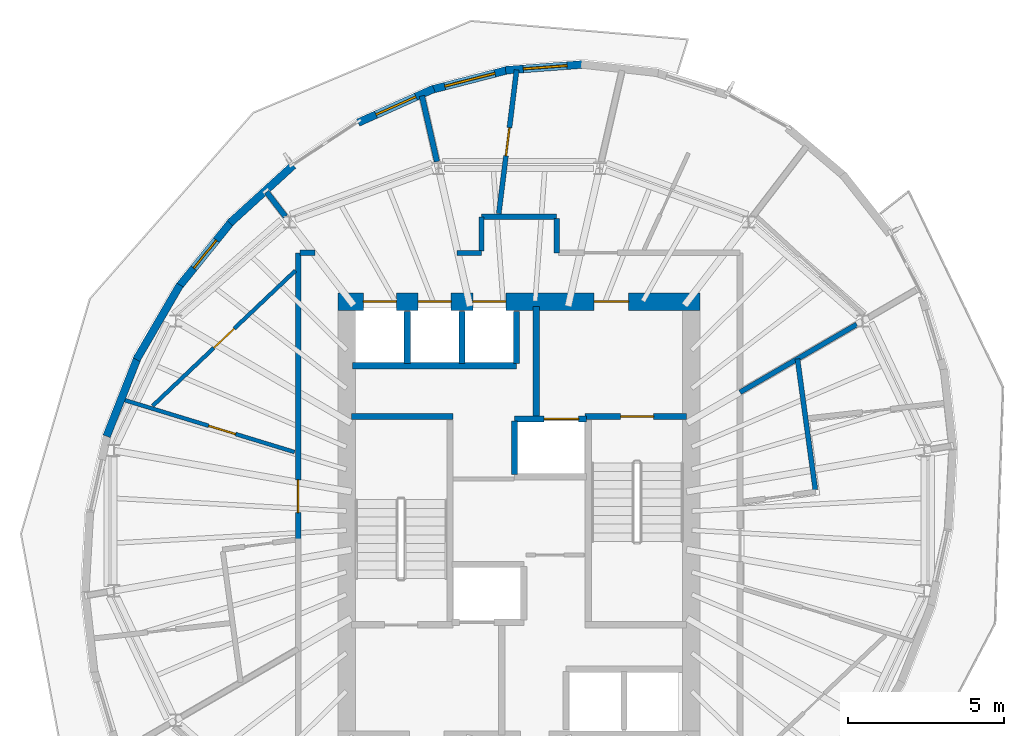
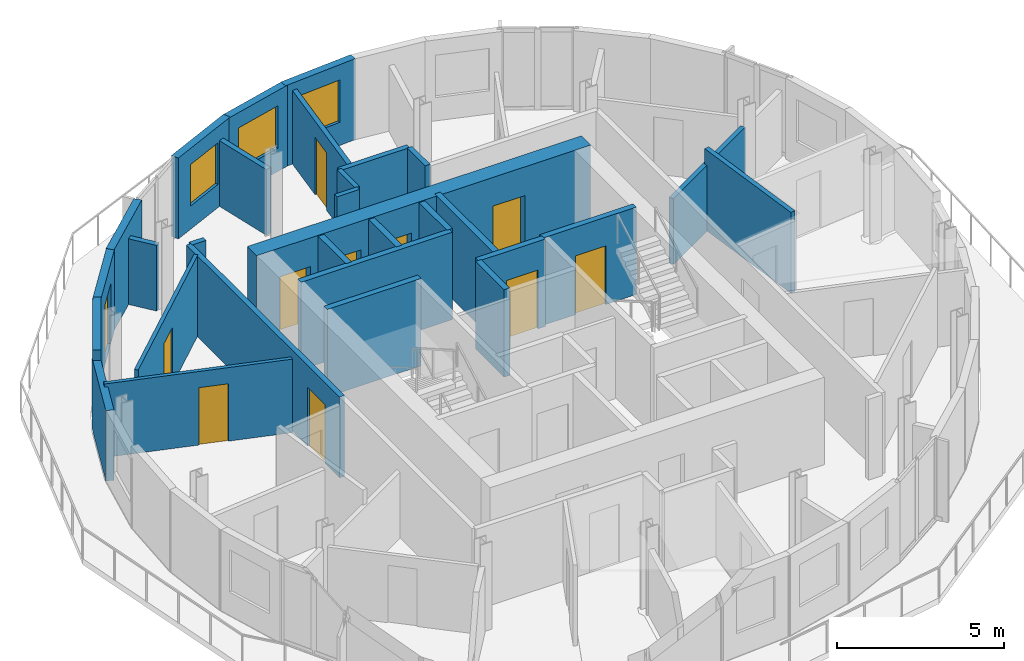
# One storey, part 6 of 11: 30 walls, 11 doors, 3 windows, 14 openings.
"""IFC4 building model written with IfcOpenShell, lengths in metres."""

from ifc_helpers import new_model, si_unit, direction, frame, frame_2d, origin, place, context, subcontext, project, spatial, rectangle, extrude, material, layer, layer_set, type_object, element, fill, save


model = new_model("IFC4")

# Units and contexts
model_context = context("Model", 3, precision=1e-05, world=origin(), true_north=direction((0.0, 1.0)))
body_context = subcontext(model_context, "Body", "Model", "MODEL_VIEW")
ifc_project = project(units=[si_unit("LENGTHUNIT", "METRE"), si_unit("AREAUNIT", "SQUARE_METRE"), si_unit("VOLUMEUNIT", "CUBIC_METRE"), si_unit("PLANEANGLEUNIT", "RADIAN"), si_unit("MASSUNIT", "GRAM", prefix="KILO")], contexts=[model_context])

# Site, building, storey
site_placement = place(None, origin())
site = spatial("IfcSite", under=ifc_project, at=site_placement, CompositionType="ELEMENT")
building_placement = place(site_placement, origin())
building = spatial("IfcBuilding", under=site, at=building_placement, Name="Veldorim Arch Residences", CompositionType="ELEMENT")
storey_placement = place(building_placement, frame((0.0, 0.0, 227.0400390625)))
storey = spatial("IfcBuildingStorey", under=building, at=storey_placement, Name="L68", CompositionType="ELEMENT", Elevation=227.0400390625)

# Wall, opening, door
ifc_material_1 = material(Name="Acoustic Gypsum Board", Category="gypsum")
ifc_layer_1 = layer(ifc_material_1, 0.125, Name="Acoustic Stud Room Partition Wall 125")
ifc_layer_set_1 = layer_set([ifc_layer_1], Name="Acoustic Gypsum Board")
wall_type_1 = type_object("IfcWallType", Name="Acoustic Stud Room Partition Wall 125", PredefinedType="PARTITIONING", material=ifc_layer_set_1)
wall_1_placement = place(storey_placement, frame((19.30029296875, 27.88037109375, 0.0), z_axis=(0.0, 0.0, 1.0), x_axis=(0.956360100331, -0.292190620136, 0.0)))
wall_1 = element("IfcWall", 1, at=wall_1_placement, inside=storey, type_object=wall_type_1, Name="L68 interior wall WL-RES-L68-030", PredefinedType="PARTITIONING", context=body_context, shape_type="SweptSolid", body=[
    extrude(rectangle(XDim=5.777099609375, YDim=0.125, at=frame_2d((2.888671875, 0.0))), origin(), (0.0, 0.0, 1.0), 2.69189453125),
])
opening_1_placement = place(wall_1_placement, frame((2.90869140625, 0.0, 0.0)))
opening_1 = element("IfcOpeningElement", 2, at=opening_1_placement, cuts=wall_1, Name="Opening DR-INT", PredefinedType="OPENING", context=body_context, shape_type="SweptSolid", body=[
    extrude(rectangle(XDim=0.89990234375, YDim=2.10009765625, at=frame_2d((0.449951171875, 1.050048828125))), frame((0.0, 0.072509765625, 0.0), z_axis=(0.0, -1.0, 0.0), x_axis=(1.0, 0.0, 0.0)), (0.0, 0.0, 1.0), 0.14501953125),
])
ifc_material_2 = material(Name="Engineered Timber", Category="wood")
door_type_1 = type_object("IfcDoorType", Name="Apartment Internal Room Timber Door 900x2100", OperationType="SINGLE_SWING_LEFT", PredefinedType="DOOR", material=ifc_material_2)
door_1_placement = place(opening_1_placement, origin())
door_1 = element("IfcDoor", 3, at=door_1_placement, inside=storey, type_object=door_type_1, Name="L68 interior door DR-RES-L68-016", OperationType="SINGLE_SWING_RIGHT", OverallHeight=2.10009765625, OverallWidth=0.89990234375, PredefinedType="DOOR", context=body_context, shape_type="SweptSolid", body=[
    extrude(rectangle(XDim=0.89990234375, YDim=2.10009765625, at=frame_2d((0.449951171875, 1.050048828125))), frame((0.0, 0.02490234375, 0.0), z_axis=(0.0, -1.0, 0.0), x_axis=(1.0, 0.0, 0.0)), (0.0, 0.0, 1.0), 0.050048828125),
])
fill(opening_1, door_1)

wall_2_placement = place(storey_placement, frame((20.29150390625, 27.66845703125, 0.0), z_axis=(0.0, 0.0, 1.0), x_axis=(0.72596595756, 0.68773063656, 0.0)))
wall_2 = element("IfcWall", 4, at=wall_2_placement, inside=storey, type_object=wall_type_1, Name="L68 interior wall WL-RES-L68-033", PredefinedType="PARTITIONING", context=body_context, shape_type="SweptSolid", body=[
    extrude(rectangle(XDim=6.282958984375, YDim=0.125, at=frame_2d((3.1416015625, 0.0))), origin(), (0.0, 0.0, 1.0), 2.955078125),
])
opening_2_placement = place(wall_2_placement, frame((2.691650390625, 0.0, 0.0)))
opening_2 = element("IfcOpeningElement", 5, at=opening_2_placement, cuts=wall_2, Name="Opening DR-INT", PredefinedType="OPENING", context=body_context, shape_type="SweptSolid", body=[
    extrude(rectangle(XDim=0.89990234375, YDim=2.10009765625, at=frame_2d((0.449951171875, 1.050048828125))), frame((0.0, 0.072509765625, 0.0), z_axis=(0.0, -1.0, 0.0), x_axis=(1.0, 0.0, 0.0)), (0.0, 0.0, 1.0), 0.14501953125),
])
door_2_placement = place(opening_2_placement, origin())
door_2 = element("IfcDoor", 6, at=door_2_placement, inside=storey, type_object=door_type_1, Name="L68 interior door DR-RES-L68-017", OperationType="SINGLE_SWING_LEFT", OverallHeight=2.10009765625, OverallWidth=0.89990234375, PredefinedType="DOOR", context=body_context, shape_type="SweptSolid", body=[
    extrude(rectangle(XDim=0.89990234375, YDim=2.10009765625, at=frame_2d((0.449951171875, 1.050048828125))), frame((0.0, 0.02490234375, 0.0), z_axis=(0.0, -1.0, 0.0), x_axis=(1.0, 0.0, 0.0)), (0.0, 0.0, 1.0), 0.050048828125),
])
fill(opening_2, door_2)

# Walls
ifc_material_3 = material(Name="Lightweight Masonry Block & Gypsum", Category="masonry")
ifc_layer_2 = layer(ifc_material_3, 0.179931640625, Name="Compartment & Corridor Fire-Rated Party Wall 180")
ifc_layer_set_2 = layer_set([ifc_layer_2], Name="Lightweight Masonry Block & Gypsum")
wall_type_2 = type_object("IfcWallType", Name="Compartment & Corridor Fire-Rated Party Wall 180", PredefinedType="PARTITIONING", material=ifc_layer_set_2)
wall_3_placement = place(storey_placement, frame((29.3759765625, 35.473388671875, 0.0), z_axis=(0.0, 0.0, 1.0), x_axis=(-0.223037236672, 0.974809925605, 0.0)))
element("IfcWall", 7, at=wall_3_placement, inside=storey, type_object=wall_type_2, Name="L68 interior wall WL-PIER-L68-05", PredefinedType="PARTITIONING", context=body_context, shape_type="SweptSolid", body=[
    extrude(rectangle(XDim=2.153076171875, YDim=0.179931640625, at=frame_2d((1.07666015625, 0.0))), origin(), (0.0, 0.0, 1.0), 2.4033203125),
])
wall_4_placement = place(storey_placement, frame((24.53271484375, 33.719482421875, 0.0), z_axis=(0.0, 0.0, 1.0), x_axis=(-0.609245199708, 0.792981895526, 0.0)))
element("IfcWall", 8, at=wall_4_placement, inside=storey, type_object=wall_type_2, Name="L68 interior wall WL-PIER-L68-06", PredefinedType="PARTITIONING", context=body_context, shape_type="SweptSolid", body=[
    extrude(rectangle(XDim=0.988525390625, YDim=0.179931640625, at=frame_2d((0.494140625, 0.0))), origin(), (0.0, 0.0, 1.0), 2.4033203125),
])
wall_5_placement = place(storey_placement, frame((30.800048828125, 33.7099609375, 0.0), z_axis=(0.0, 0.0, 1.0), x_axis=(1.0, 0.0, 0.0)))
element("IfcWall", 9, at=wall_5_placement, inside=storey, type_object=wall_type_2, Name="L68 interior wall WL-RES-L68-009", PredefinedType="PARTITIONING", context=body_context, shape_type="SweptSolid", body=[
    extrude(rectangle(XDim=2.39990234375, YDim=0.179931640625, at=frame_2d((1.199951171875, 0.0))), origin(), (0.0, 0.0, 1.0), 2.955078125),
])
wall_6_placement = place(storey_placement, frame((33.199951171875, 33.64990234375, 0.0), z_axis=(0.0, 0.0, 1.0), x_axis=(0.0, -1.0, 0.0)))
element("IfcWall", 10, at=wall_6_placement, inside=storey, type_object=wall_type_2, Name="L68 interior wall WL-RES-L68-010", PredefinedType="PARTITIONING", context=body_context, shape_type="SweptSolid", body=[
    extrude(rectangle(XDim=1.08984375, YDim=0.179931640625, at=frame_2d((0.544921875, 0.0))), origin(), (0.0, 0.0, 1.0), 2.955078125),
])

# Wall, opening, door
wall_7_placement = place(storey_placement, frame((24.93994140625, 23.38427734375, 0.0), z_axis=(0.0, 0.0, 1.0), x_axis=(0.0, 1.0, 0.0)))
wall_7 = element("IfcWall", 11, at=wall_7_placement, inside=storey, type_object=wall_type_2, Name="L68 interior wall WL-RES-L68-014", PredefinedType="PARTITIONING", context=body_context, shape_type="SweptSolid", body=[
    extrude(rectangle(XDim=9.17578125, YDim=0.179931640625, at=frame_2d((4.587890625, 0.0))), origin(), (0.0, 0.0, 1.0), 2.955078125),
])
opening_3_placement = place(wall_7_placement, frame((0.8720703125, 0.0, 0.0)))
opening_3 = element("IfcOpeningElement", 12, at=opening_3_placement, cuts=wall_7, Name="Opening DR-FLT", PredefinedType="OPENING", context=body_context, shape_type="SweptSolid", body=[
    extrude(rectangle(XDim=1.050048828125, YDim=2.14990234375, at=frame_2d((0.52490234375, 1.074951171875))), frame((0.0, 0.099853515625, 0.0), z_axis=(0.0, -1.0, 0.0), x_axis=(1.0, 0.0, 0.0)), (0.0, 0.0, 1.0), 0.199951171875),
])
ifc_material_4 = material(Name="Fire-Rated Timber", Category="wood")
door_type_2 = type_object("IfcDoorType", Name="Apartment Entrance Solid-Core Fire Door 1050x2150", OperationType="SINGLE_SWING_LEFT", PredefinedType="DOOR", material=ifc_material_4)
door_3_placement = place(opening_3_placement, origin())
door_3 = element("IfcDoor", 13, at=door_3_placement, inside=storey, type_object=door_type_2, Name="L68 interior door DR-RES-L68-014", OperationType="SINGLE_SWING_RIGHT", OverallHeight=2.14990234375, OverallWidth=1.050048828125, PredefinedType="DOOR", context=body_context, shape_type="SweptSolid", body=[
    extrude(rectangle(XDim=1.050048828125, YDim=2.14990234375, at=frame_2d((0.52490234375, 1.074951171875))), frame((0.0, 0.02490234375, 0.0), z_axis=(0.0, -1.0, 0.0), x_axis=(1.0, 0.0, 0.0)), (0.0, 0.0, 1.0), 0.050048828125),
])
fill(opening_3, door_3)

# Walls
wall_8_placement = place(storey_placement, frame((25.0, 32.56005859375, 0.0), z_axis=(0.0, 0.0, 1.0), x_axis=(1.0, 0.0, 0.0)))
element("IfcWall", 14, at=wall_8_placement, inside=storey, type_object=wall_type_2, Name="L68 interior wall WL-RES-L68-015", PredefinedType="PARTITIONING", context=body_context, shape_type="SweptSolid", body=[
    extrude(rectangle(XDim=0.484130859375, YDim=0.179931640625, at=frame_2d((0.2421875, 0.0))), origin(), (0.0, 0.0, 1.0), 2.955078125),
])
ifc_material_5 = material(Name="Concrete C50/60", Category="concrete")
ifc_layer_3 = layer(ifc_material_5, 0.199951171875, Name="Core Stair & Lift Shaft Enclosure Wall 200")
ifc_layer_set_3 = layer_set([ifc_layer_3], Name="Concrete C50/60")
wall_type_3 = type_object("IfcWallType", Name="Core Stair & Lift Shaft Enclosure Wall 200", PredefinedType="SHEAR", material=ifc_layer_set_3)
wall_9_placement = place(storey_placement, frame((26.64990234375, 27.330078125, 0.0), z_axis=(0.0, 0.0, 1.0), x_axis=(1.0, 0.0, 0.0)))
element("IfcWall", 15, at=wall_9_placement, inside=storey, type_object=wall_type_3, Name="L68 shaft wall WL-SHF-L68-ST1-N", PredefinedType="SHEAR", context=body_context, shape_type="SweptSolid", body=[
    extrude(rectangle(XDim=3.239990234375, YDim=0.199951171875, at=frame_2d((1.6201171875, 0.0))), origin(), (0.0, 0.0, 1.0), 3.199951171875),
])

# Wall, opening, door
wall_10_placement = place(storey_placement, frame((34.110107421875, 27.330078125, 0.0), z_axis=(0.0, 0.0, 1.0), x_axis=(1.0, 0.0, 0.0)))
wall_10 = element("IfcWall", 16, at=wall_10_placement, inside=storey, type_object=wall_type_3, Name="L68 shaft wall WL-SHF-L68-ST2-N", PredefinedType="SHEAR", context=body_context, shape_type="SweptSolid", body=[
    extrude(rectangle(XDim=3.239990234375, YDim=0.199951171875, at=frame_2d((1.6201171875, 0.0))), origin(), (0.0, 0.0, 1.0), 3.199951171875),
])
opening_4_placement = place(wall_10_placement, frame((1.135009765625, 0.0, 0.0)))
opening_4 = element("IfcOpeningElement", 17, at=opening_4_placement, cuts=wall_10, Name="Opening DR-ST", PredefinedType="OPENING", context=body_context, shape_type="SweptSolid", body=[
    extrude(rectangle(XDim=1.050048828125, YDim=2.14990234375, at=frame_2d((0.52490234375, 1.074951171875))), frame((0.0, 0.10986328125, 0.0), z_axis=(0.0, -1.0, 0.0), x_axis=(1.0, 0.0, 0.0)), (0.0, 0.0, 1.0), 0.219970703125),
])
ifc_material_6 = material(Name="Fire-Rated Steel", Category="steel")
door_type_3 = type_object("IfcDoorType", Name="Exit Staircase Self-Closing Fire Door 1050x2150", OperationType="SINGLE_SWING_LEFT", PredefinedType="DOOR", material=ifc_material_6)
door_4_placement = place(opening_4_placement, origin())
door_4 = element("IfcDoor", 18, at=door_4_placement, inside=storey, type_object=door_type_3, Name="L68 interior door DR-L68-ST2", OperationType="SINGLE_SWING_RIGHT", OverallHeight=2.14990234375, OverallWidth=1.050048828125, PredefinedType="DOOR", context=body_context, shape_type="SweptSolid", body=[
    extrude(rectangle(XDim=1.050048828125, YDim=2.14990234375, at=frame_2d((0.52490234375, 1.074951171875))), frame((0.0, 0.02490234375, 0.0), z_axis=(0.0, -1.0, 0.0), x_axis=(1.0, 0.0, 0.0)), (0.0, 0.0, 1.0), 0.050048828125),
])
fill(opening_4, door_4)

# Wall
wall_11_placement = place(storey_placement, frame((32.550048828125, 27.35009765625, 0.0), z_axis=(0.0, 0.0, 1.0), x_axis=(0.0, 1.0, 0.0)))
element("IfcWall", 19, at=wall_11_placement, inside=storey, type_object=wall_type_3, Name="L68 shaft wall WL-FFL2-L68-W", PredefinedType="SHEAR", context=body_context, shape_type="SweptSolid", body=[
    extrude(rectangle(XDim=3.5, YDim=0.199951171875, at=frame_2d((1.75, 0.0))), origin(), (0.0, 0.0, 1.0), 3.199951171875),
])

# Wall, opening, door
wall_12_placement = place(storey_placement, frame((31.85009765625, 27.25, 0.0), z_axis=(0.0, 0.0, 1.0), x_axis=(1.0, 0.0, 0.0)))
wall_12 = element("IfcWall", 20, at=wall_12_placement, inside=storey, type_object=wall_type_3, Name="L68 shaft wall WL-FL02-L68-N", PredefinedType="SHEAR", context=body_context, shape_type="SweptSolid", body=[
    extrude(rectangle(XDim=2.2998046875, YDim=0.199951171875, at=frame_2d((1.14990234375, 0.0))), origin(), (0.0, 0.0, 1.0), 3.199951171875),
])
opening_5_placement = place(wall_12_placement, frame((0.949951171875, 0.0, 0.0)))
opening_5 = element("IfcOpeningElement", 21, at=opening_5_placement, cuts=wall_12, Name="Opening LD-FF", PredefinedType="OPENING", context=body_context, shape_type="SweptSolid", body=[
    extrude(rectangle(XDim=1.10009765625, YDim=2.14990234375, at=frame_2d((0.550048828125, 1.074951171875))), frame((0.0, 0.10986328125, 0.0), z_axis=(0.0, -1.0, 0.0), x_axis=(1.0, 0.0, 0.0)), (0.0, 0.0, 1.0), 0.219970703125),
])
ifc_material_7 = material(Name="Stainless Steel", Category="steel")
door_type_4 = type_object("IfcDoorType", Name="Firefighting Lift Bi-Parting Sliding Landing Door 1100x2150", OperationType="DOUBLE_DOOR_SLIDING", PredefinedType="DOOR", material=ifc_material_7)
door_5_placement = place(opening_5_placement, origin())
door_5 = element("IfcDoor", 22, at=door_5_placement, inside=storey, type_object=door_type_4, Name="L68 lift landing door LD-L68-FL02", OperationType="DOUBLE_DOOR_SLIDING", OverallHeight=2.14990234375, OverallWidth=1.10009765625, PredefinedType="DOOR", context=body_context, shape_type="SweptSolid", body=[
    extrude(rectangle(XDim=1.10009765625, YDim=2.14990234375, at=frame_2d((0.550048828125, 1.074951171875))), frame((0.0, 0.02490234375, 0.0), z_axis=(0.0, -1.0, 0.0), x_axis=(1.0, 0.0, 0.0)), (0.0, 0.0, 1.0), 0.050048828125),
])
fill(opening_5, door_5)

# Walls
wall_13_placement = place(storey_placement, frame((31.85009765625, 25.469970703125, 0.0), z_axis=(0.0, 0.0, 1.0), x_axis=(0.0, 1.0, 0.0)))
element("IfcWall", 23, at=wall_13_placement, inside=storey, type_object=wall_type_3, Name="L68 shaft wall WL-FL02-L68-W", PredefinedType="SHEAR", context=body_context, shape_type="SweptSolid", body=[
    extrude(rectangle(XDim=1.7099609375, YDim=0.199951171875, at=frame_2d((0.85498046875, 0.0))), origin(), (0.0, 0.0, 1.0), 3.199951171875),
])
wall_14_placement = place(storey_placement, frame((26.679931640625, 28.949951171875, 0.0), z_axis=(0.0, 0.0, 1.0), x_axis=(1.0, 0.0, 0.0)))
element("IfcWall", 24, at=wall_14_placement, inside=storey, type_object=wall_type_3, Name="L68 shaft wall WL-B3-L68-S", PredefinedType="SHEAR", context=body_context, shape_type="SweptSolid", body=[
    extrude(rectangle(XDim=5.239990234375, YDim=0.199951171875, at=frame_2d((2.6201171875, 0.0))), origin(), (0.0, 0.0, 1.0), 3.199951171875),
])
for number, where, z_axis, x_axis, name in (
    (25, (31.919921875, 29.02001953125, 0.0), (0.0, 0.0, 1.0), (0.0, 1.0, 0.0), "L68 shaft wall WL-B3-L68-E"),
    (26, (28.425048828125, 29.02001953125, 0.0), (0.0, 0.0, 1.0), (0.0, 1.0, 0.0), "L68 shaft wall WL-B3-L68-D1"),
    (27, (30.175048828125, 29.02001953125, 0.0), (0.0, 0.0, 1.0), (0.0, 1.0, 0.0), "L68 shaft wall WL-B3-L68-D2"),
):
    element("IfcWall", number, at=place(storey_placement, frame(where, z_axis=z_axis, x_axis=x_axis)), inside=storey, type_object=wall_type_3, Name=name, PredefinedType="SHEAR", context=body_context, shape_type="SweptSolid", body=[
        extrude(rectangle(XDim=1.659912109375, YDim=0.199951171875, at=frame_2d((0.830078125, 0.0))), origin(), (0.0, 0.0, 1.0), 3.199951171875),
    ])

# Wall, opening, window
ifc_material_8 = material(Name="Precast concrete C40/50", Category="concrete")
ifc_layer_4 = layer(ifc_material_8, 0.25, Name="Tower Terracotta Spandrel & Pier Wall 250")
ifc_layer_set_4 = layer_set([ifc_layer_4], Name="Precast concrete C40/50")
wall_type_4 = type_object("IfcWallType", Name="Tower Terracotta Spandrel & Pier Wall 250", PredefinedType="SOLIDWALL", material=ifc_layer_set_4)
wall_15_placement = place(storey_placement, frame((31.57080078125, 38.393798828125, 0.0), z_axis=(0.0, 0.0, 1.0), x_axis=(0.997203982256, 0.074727623888, 0.0)))
wall_15 = element("IfcWall", 28, at=wall_15_placement, inside=storey, type_object=wall_type_4, Name="L68 terracotta facade wall 04", PredefinedType="SOLIDWALL", context=body_context, shape_type="SweptSolid", body=[
    extrude(rectangle(XDim=2.531982421875, YDim=0.25, at=frame_2d((1.26611328125, 0.0))), origin(), (0.0, 0.0, 1.0), 2.9599609375),
])
opening_6_placement = place(wall_15_placement, frame((0.56591796875, 0.0, 0.85009765625)))
opening_6 = element("IfcOpeningElement", 29, at=opening_6_placement, cuts=wall_15, Name="Opening WN-02", PredefinedType="OPENING", context=body_context, shape_type="SweptSolid", body=[
    extrude(rectangle(XDim=1.39990234375, YDim=1.550048828125, at=frame_2d((0.699951171875, 0.77490234375))), frame((0.0, 0.135009765625, 0.0), z_axis=(0.0, -1.0, 0.0), x_axis=(1.0, 0.0, 0.0)), (0.0, 0.0, 1.0), 0.27001953125),
])
ifc_material_9 = material(Name="Laminated Low-E Glass", Category="glass")
window_type_1 = type_object("IfcWindowType", Name="Residential Casement Window 1400x1550", PartitioningType="SINGLE_PANEL", PredefinedType="WINDOW", material=ifc_material_9)
window_1_placement = place(opening_6_placement, origin())
window_1 = element("IfcWindow", 30, at=window_1_placement, inside=storey, type_object=window_type_1, Name="L68 solar-control facade window 04", OverallHeight=1.550048828125, OverallWidth=1.39990234375, PartitioningType="SINGLE_PANEL", PredefinedType="WINDOW", context=body_context, shape_type="SweptSolid", body=[
    extrude(rectangle(XDim=1.39990234375, YDim=1.550048828125, at=frame_2d((0.699951171875, 0.77490234375))), frame((0.0, 0.030029296875, 0.0), z_axis=(0.0, -1.0, 0.0), x_axis=(1.0, 0.0, 0.0)), (0.0, 0.0, 1.0), 0.06005859375),
])
fill(opening_6, window_1)

wall_16_placement = place(storey_placement, frame((29.170654296875, 37.765625, 0.0), z_axis=(0.0, 0.0, 1.0), x_axis=(0.968423445169, 0.249311112562, 0.0)))
wall_16 = element("IfcWall", 31, at=wall_16_placement, inside=storey, type_object=wall_type_4, Name="L68 terracotta facade wall 05", PredefinedType="SOLIDWALL", context=body_context, shape_type="SweptSolid", body=[
    extrude(rectangle(XDim=2.592041015625, YDim=0.25, at=frame_2d((1.2958984375, 0.0))), origin(), (0.0, 0.0, 1.0), 2.9599609375),
])
opening_7_placement = place(wall_16_placement, frame((0.470947265625, 0.0, 0.85009765625)))
opening_7 = element("IfcOpeningElement", 32, at=opening_7_placement, cuts=wall_16, Name="Opening WN-03", PredefinedType="OPENING", context=body_context, shape_type="SweptSolid", body=[
    extrude(rectangle(XDim=1.64990234375, YDim=1.550048828125, at=frame_2d((0.824951171875, 0.77490234375))), frame((0.0, 0.135009765625, 0.0), z_axis=(0.0, -1.0, 0.0), x_axis=(1.0, 0.0, 0.0)), (0.0, 0.0, 1.0), 0.27001953125),
])
ifc_material_10 = material(Name="Laminated Low-E Glass", Category="glass")
window_type_2 = type_object("IfcWindowType", Name="Residential Wide Window 1650x1550", PartitioningType="SINGLE_PANEL", PredefinedType="WINDOW", material=ifc_material_10)
window_2_placement = place(opening_7_placement, origin())
window_2 = element("IfcWindow", 33, at=window_2_placement, inside=storey, type_object=window_type_2, Name="L68 solar-control facade window 05", OverallHeight=1.550048828125, OverallWidth=1.64990234375, PartitioningType="SINGLE_PANEL", PredefinedType="WINDOW", context=body_context, shape_type="SweptSolid", body=[
    extrude(rectangle(XDim=1.64990234375, YDim=1.550048828125, at=frame_2d((0.824951171875, 0.77490234375))), frame((0.0, 0.030029296875, 0.0), z_axis=(0.0, -1.0, 0.0), x_axis=(1.0, 0.0, 0.0)), (0.0, 0.0, 1.0), 0.06005859375),
])
fill(opening_7, window_2)

wall_17_placement = place(storey_placement, frame((26.85546875, 36.719482421875, 0.0), z_axis=(0.0, 0.0, 1.0), x_axis=(0.912779399898, 0.408452894617, 0.0)))
wall_17 = element("IfcWall", 34, at=wall_17_placement, inside=storey, type_object=wall_type_4, Name="L68 terracotta facade wall 06", PredefinedType="SOLIDWALL", context=body_context, shape_type="SweptSolid", body=[
    extrude(rectangle(XDim=2.65087890625, YDim=0.25, at=frame_2d((1.325439453125, 0.0))), origin(), (0.0, 0.0, 1.0), 2.9599609375),
])
opening_8_placement = place(wall_17_placement, frame((0.625, 0.0, 0.85009765625)))
opening_8 = element("IfcOpeningElement", 35, at=opening_8_placement, cuts=wall_17, Name="Opening WN-02", PredefinedType="OPENING", context=body_context, shape_type="SweptSolid", body=[
    extrude(rectangle(XDim=1.39990234375, YDim=1.52001953125, at=frame_2d((0.699951171875, 0.760009765625))), frame((0.0, 0.135009765625, 0.0), z_axis=(0.0, -1.0, 0.0), x_axis=(1.0, 0.0, 0.0)), (0.0, 0.0, 1.0), 0.27001953125),
])
window_3_placement = place(opening_8_placement, origin())
window_3 = element("IfcWindow", 36, at=window_3_placement, inside=storey, type_object=window_type_1, Name="L68 solar-control facade window 06", OverallHeight=1.52001953125, OverallWidth=1.39990234375, PartitioningType="SINGLE_PANEL", PredefinedType="WINDOW", context=body_context, shape_type="SweptSolid", body=[
    extrude(rectangle(XDim=1.39990234375, YDim=1.52001953125, at=frame_2d((0.699951171875, 0.760009765625))), frame((0.0, 0.030029296875, 0.0), z_axis=(0.0, -1.0, 0.0), x_axis=(1.0, 0.0, 0.0)), (0.0, 0.0, 1.0), 0.06005859375),
])
fill(opening_8, window_3)

# Wall
wall_18_placement = place(storey_placement, frame((22.757080078125, 33.509521484375, 0.0), z_axis=(0.0, 0.0, 1.0), x_axis=(0.739366950434, 0.673302690182, 0.0)))
element("IfcWall", 37, at=wall_18_placement, inside=storey, type_object=wall_type_4, Name="L68 terracotta facade wall 08", PredefinedType="SOLIDWALL", context=body_context, shape_type="SweptSolid", body=[
    extrude(rectangle(XDim=2.73828125, YDim=0.25, at=frame_2d((1.369140625, 0.0))), origin(), (0.0, 0.0, 1.0), 2.9599609375),
])

# Wall, opening, door
wall_19_placement = place(storey_placement, frame((21.099609375, 31.4423828125, 0.0), z_axis=(0.0, 0.0, 1.0), x_axis=(0.628046541479, 0.778175778174, 0.0)))
wall_19 = element("IfcWall", 38, at=wall_19_placement, inside=storey, type_object=wall_type_4, Name="L68 terracotta facade wall 09", PredefinedType="SOLIDWALL", context=body_context, shape_type="SweptSolid", body=[
    extrude(rectangle(XDim=2.758056640625, YDim=0.25, at=frame_2d((1.37890625, 0.0))), origin(), (0.0, 0.0, 1.0), 2.9599609375),
])
opening_9_placement = place(wall_19_placement, frame((0.803955078125, 0.0, 0.0)))
opening_9 = element("IfcOpeningElement", 39, at=opening_9_placement, cuts=wall_19, Name="Opening BL-DR", PredefinedType="OPENING", context=body_context, shape_type="SweptSolid", body=[
    extrude(rectangle(XDim=1.14990234375, YDim=2.199951171875, at=frame_2d((0.574951171875, 1.10009765625))), frame((0.0, 0.135009765625, 0.0), z_axis=(0.0, -1.0, 0.0), x_axis=(1.0, 0.0, 0.0)), (0.0, 0.0, 1.0), 0.27001953125),
])
ifc_material_11 = material(Name="Aluminium & Low-E Glass", Category="aluminium")
door_type_5 = type_object("IfcDoorType", Name="Glazed Planted Balcony Door 1150x2200", OperationType="SINGLE_SWING_LEFT", PredefinedType="DOOR", material=ifc_material_11)
door_6_placement = place(opening_9_placement, origin())
door_6 = element("IfcDoor", 40, at=door_6_placement, inside=storey, type_object=door_type_5, Name="L68 glazed outdoor terrace door BALC-1", OperationType="SINGLE_SWING_LEFT", OverallHeight=2.199951171875, OverallWidth=1.14990234375, PredefinedType="DOOR", context=body_context, shape_type="SweptSolid", body=[
    extrude(rectangle(XDim=1.14990234375, YDim=2.199951171875, at=frame_2d((0.574951171875, 1.10009765625))), frame((0.0, 0.02490234375, 0.0), z_axis=(0.0, -1.0, 0.0), x_axis=(1.0, 0.0, 0.0)), (0.0, 0.0, 1.0), 0.050048828125),
])
fill(opening_9, door_6)

# Walls
wall_20_placement = place(storey_placement, frame((19.7734375, 29.148681640625, 0.0), z_axis=(0.0, 0.0, 1.0), x_axis=(0.503177339128, 0.864183178144, 0.0)))
element("IfcWall", 41, at=wall_20_placement, inside=storey, type_object=wall_type_4, Name="L68 terracotta facade wall 10", PredefinedType="SOLIDWALL", context=body_context, shape_type="SweptSolid", body=[
    extrude(rectangle(XDim=2.7578125, YDim=0.25, at=frame_2d((1.37890625, 0.0))), origin(), (0.0, 0.0, 1.0), 2.9599609375),
])
wall_21_placement = place(storey_placement, frame((18.819580078125, 26.697509765625, 0.0), z_axis=(0.0, 0.0, 1.0), x_axis=(0.365588934877, 0.930776412838, 0.0)))
element("IfcWall", 42, at=wall_21_placement, inside=storey, type_object=wall_type_4, Name="L68 terracotta facade wall 11", PredefinedType="SOLIDWALL", context=body_context, shape_type="SweptSolid", body=[
    extrude(rectangle(XDim=2.73876953125, YDim=0.25, at=frame_2d((1.369384765625, 0.0))), origin(), (0.0, 0.0, 1.0), 2.576904296875),
])

# Wall, openings, doors
ifc_material_12 = material(Name="Concrete C50/60", Category="concrete")
ifc_layer_5 = layer(ifc_material_12, 0.5, Name="Upper Central Core Shear Wall 560")
ifc_layer_set_5 = layer_set([ifc_layer_5], Name="Concrete C50/60")
wall_type_5 = type_object("IfcWallType", Name="Upper Central Core Shear Wall 560", PredefinedType="SHEAR", material=ifc_layer_set_5)
wall_22_placement = place(storey_placement, frame((26.219970703125, 31.0, 0.0), z_axis=(0.0, 0.0, 1.0), x_axis=(1.0, 0.0, 0.0)))
wall_22 = element("IfcWall", 43, at=wall_22_placement, inside=storey, type_object=wall_type_5, Name="L68 central core north shear wall", PredefinedType="SHEAR", context=body_context, shape_type="SweptSolid", body=[
    extrude(rectangle(XDim=11.56005859375, YDim=0.56005859375, at=frame_2d((5.780029296875, 0.0))), origin(), (0.0, 0.0, 1.0), 3.199951171875),
])
opening_10_placement = place(wall_22_placement, frame((8.179931640625, 0.0, 0.0)))
opening_10 = element("IfcOpeningElement", 44, at=opening_10_placement, cuts=wall_22, Name="Opening DR-FFL", PredefinedType="OPENING", context=body_context, shape_type="SweptSolid", body=[
    extrude(rectangle(XDim=1.10009765625, YDim=2.14990234375, at=frame_2d((0.550048828125, 1.074951171875))), frame((0.0, 0.2900390625, 0.0), z_axis=(0.0, -1.0, 0.0), x_axis=(1.0, 0.0, 0.0)), (0.0, 0.0, 1.0), 0.580078125),
])
opening_11_placement = place(wall_22_placement, frame((0.804931640625, 0.0, 0.0)))
opening_11 = element("IfcOpeningElement", 45, at=opening_11_placement, cuts=wall_22, Name="Opening LD-PS", PredefinedType="OPENING", context=body_context, shape_type="SweptSolid", body=[
    extrude(rectangle(XDim=1.050048828125, YDim=2.14990234375, at=frame_2d((0.52490234375, 1.074951171875))), frame((0.0, 0.2900390625, 0.0), z_axis=(0.0, -1.0, 0.0), x_axis=(1.0, 0.0, 0.0)), (0.0, 0.0, 1.0), 0.580078125),
])
opening_12_placement = place(wall_22_placement, frame((2.554931640625, 0.0, 0.0)))
opening_12 = element("IfcOpeningElement", 46, at=opening_12_placement, cuts=wall_22, Name="Opening LD-PS", PredefinedType="OPENING", context=body_context, shape_type="SweptSolid", body=[
    extrude(rectangle(XDim=1.050048828125, YDim=2.14990234375, at=frame_2d((0.52490234375, 1.074951171875))), frame((0.0, 0.2900390625, 0.0), z_axis=(0.0, -1.0, 0.0), x_axis=(1.0, 0.0, 0.0)), (0.0, 0.0, 1.0), 0.580078125),
])
opening_13_placement = place(wall_22_placement, frame((4.304931640625, 0.0, 0.0)))
opening_13 = element("IfcOpeningElement", 47, at=opening_13_placement, cuts=wall_22, Name="Opening LD-PS", PredefinedType="OPENING", context=body_context, shape_type="SweptSolid", body=[
    extrude(rectangle(XDim=1.050048828125, YDim=2.14990234375, at=frame_2d((0.52490234375, 1.074951171875))), frame((0.0, 0.2900390625, 0.0), z_axis=(0.0, -1.0, 0.0), x_axis=(1.0, 0.0, 0.0)), (0.0, 0.0, 1.0), 0.580078125),
])
ifc_material_13 = material(Name="Fire-Rated Steel & Vision Glass", Category="steel")
door_type_6 = type_object("IfcDoorType", Name="Firefighting Lobby Smoke-Stop Fire Door 1100x2150", OperationType="SINGLE_SWING_LEFT", PredefinedType="DOOR", material=ifc_material_13)
door_7_placement = place(opening_10_placement, origin())
door_7 = element("IfcDoor", 48, at=door_7_placement, inside=storey, type_object=door_type_6, Name="L68 interior door DR-L68-FFL2", OperationType="SINGLE_SWING_LEFT", OverallHeight=2.14990234375, OverallWidth=1.10009765625, PredefinedType="DOOR", context=body_context, shape_type="SweptSolid", body=[
    extrude(rectangle(XDim=1.10009765625, YDim=2.14990234375, at=frame_2d((0.550048828125, 1.074951171875))), frame((0.0, 0.02490234375, 0.0), z_axis=(0.0, -1.0, 0.0), x_axis=(1.0, 0.0, 0.0)), (0.0, 0.0, 1.0), 0.050048828125),
])
fill(opening_10, door_7)
ifc_material_14 = material(Name="Stainless Steel", Category="steel")
door_type_7 = type_object("IfcDoorType", Name="Passenger Lift Bi-Parting Sliding Landing Door 1050x2150", OperationType="DOUBLE_DOOR_SLIDING", PredefinedType="DOOR", material=ifc_material_14)
door_8_placement = place(opening_11_placement, origin())
door_8 = element("IfcDoor", 49, at=door_8_placement, inside=storey, type_object=door_type_7, Name="L68 lift landing door LD-L68-PL-08", OperationType="DOUBLE_DOOR_SLIDING", OverallHeight=2.14990234375, OverallWidth=1.050048828125, PredefinedType="DOOR", context=body_context, shape_type="SweptSolid", body=[
    extrude(rectangle(XDim=1.050048828125, YDim=2.14990234375, at=frame_2d((0.52490234375, 1.074951171875))), frame((0.0, 0.02490234375, 0.0), z_axis=(0.0, -1.0, 0.0), x_axis=(1.0, 0.0, 0.0)), (0.0, 0.0, 1.0), 0.050048828125),
])
fill(opening_11, door_8)
door_9_placement = place(opening_12_placement, origin())
door_9 = element("IfcDoor", 50, at=door_9_placement, inside=storey, type_object=door_type_7, Name="L68 lift landing door LD-L68-PL-09", OperationType="DOUBLE_DOOR_SLIDING", OverallHeight=2.14990234375, OverallWidth=1.050048828125, PredefinedType="DOOR", context=body_context, shape_type="SweptSolid", body=[
    extrude(rectangle(XDim=1.050048828125, YDim=2.14990234375, at=frame_2d((0.52490234375, 1.074951171875))), frame((0.0, 0.02490234375, 0.0), z_axis=(0.0, -1.0, 0.0), x_axis=(1.0, 0.0, 0.0)), (0.0, 0.0, 1.0), 0.050048828125),
])
fill(opening_12, door_9)
door_10_placement = place(opening_13_placement, origin())
door_10 = element("IfcDoor", 51, at=door_10_placement, inside=storey, type_object=door_type_7, Name="L68 lift landing door LD-L68-PL-10", OperationType="DOUBLE_DOOR_SLIDING", OverallHeight=2.14990234375, OverallWidth=1.050048828125, PredefinedType="DOOR", context=body_context, shape_type="SweptSolid", body=[
    extrude(rectangle(XDim=1.050048828125, YDim=2.14990234375, at=frame_2d((0.52490234375, 1.074951171875))), frame((0.0, 0.02490234375, 0.0), z_axis=(0.0, -1.0, 0.0), x_axis=(1.0, 0.0, 0.0)), (0.0, 0.0, 1.0), 0.050048828125),
])
fill(opening_13, door_10)

# Walls
ifc_material_15 = material(Name="Moisture-Resistant Gypsum & Stud", Category="gypsum")
ifc_layer_6 = layer(ifc_material_15, 0.159912109375, Name="Wet-Area Moisture-Resistant Plumbing Wall 160")
ifc_layer_set_6 = layer_set([ifc_layer_6], Name="Moisture-Resistant Gypsum & Stud")
wall_type_6 = type_object("IfcWallType", Name="Wet-Area Moisture-Resistant Plumbing Wall 160", PredefinedType="PLUMBINGWALL", material=ifc_layer_set_6)
wall_23_placement = place(storey_placement, frame((30.021728515625, 32.56005859375, 0.0), z_axis=(0.0, 0.0, 1.0), x_axis=(1.0, 0.0, 0.0)))
element("IfcWall", 52, at=wall_23_placement, inside=storey, type_object=wall_type_6, Name="L68 interior wall WL-RES-L68-012", PredefinedType="PLUMBINGWALL", context=body_context, shape_type="SweptSolid", body=[
    extrude(rectangle(XDim=0.7783203125, YDim=0.159912109375, at=frame_2d((0.38916015625, 0.0))), origin(), (0.0, 0.0, 1.0), 2.955078125),
])
wall_24_placement = place(storey_placement, frame((30.800048828125, 32.6201171875, 0.0), z_axis=(0.0, 0.0, 1.0), x_axis=(0.0, 1.0, 0.0)))
element("IfcWall", 53, at=wall_24_placement, inside=storey, type_object=wall_type_6, Name="L68 interior wall WL-RES-L68-013", PredefinedType="PLUMBINGWALL", context=body_context, shape_type="SweptSolid", body=[
    extrude(rectangle(XDim=1.08984375, YDim=0.159912109375, at=frame_2d((0.544921875, 0.0))), origin(), (0.0, 0.0, 1.0), 2.955078125),
])
wall_25_placement = place(storey_placement, frame((41.467041015625, 24.984619140625, 0.0), z_axis=(0.0, 0.0, 1.0), x_axis=(-0.135203486235, 0.990817852741, 0.0)))
element("IfcWall", 54, at=wall_25_placement, inside=storey, type_object=wall_type_6, Name="L68 interior wall WL-RES-L68-023", PredefinedType="PLUMBINGWALL", context=body_context, shape_type="SweptSolid", body=[
    extrude(rectangle(XDim=4.2236328125, YDim=0.159912109375, at=frame_2d((2.11181640625, 0.0))), origin(), (0.0, 0.0, 1.0), 2.955078125),
])
wall_26_placement = place(storey_placement, frame((39.06005859375, 28.1025390625, 0.0), z_axis=(0.0, 0.0, 1.0), x_axis=(0.864584371019, 0.502487676854, 0.0)))
element("IfcWall", 55, at=wall_26_placement, inside=storey, type_object=wall_type_6, Name="L68 interior wall WL-RES-L68-024", PredefinedType="PLUMBINGWALL", context=body_context, shape_type="SweptSolid", body=[
    extrude(rectangle(XDim=4.314453125, YDim=0.159912109375, at=frame_2d((2.1572265625, 0.0))), origin(), (0.0, 0.0, 1.0), 2.4033203125),
])

# Wall, opening, door
wall_27_placement = place(storey_placement, frame((31.351318359375, 33.80908203125, 0.0), z_axis=(0.0, 0.0, 1.0), x_axis=(0.122996482144, 0.992407106676, 0.0)))
wall_27 = element("IfcWall", 56, at=wall_27_placement, inside=storey, type_object=wall_type_6, Name="L68 interior wall WL-RES-L68-026", PredefinedType="PLUMBINGWALL", context=body_context, shape_type="SweptSolid", body=[
    extrude(rectangle(XDim=4.630859375, YDim=0.159912109375, at=frame_2d((2.3154296875, 0.0))), origin(), (0.0, 0.0, 1.0), 2.69189453125),
])
opening_14_placement = place(wall_27_placement, frame((1.865478515625, 0.0, 0.0)))
opening_14 = element("IfcOpeningElement", 57, at=opening_14_placement, cuts=wall_27, Name="Opening DR-WC", PredefinedType="OPENING", context=body_context, shape_type="SweptSolid", body=[
    extrude(rectangle(XDim=0.89990234375, YDim=2.10009765625, at=frame_2d((0.449951171875, 1.050048828125))), frame((0.0, 0.08984375, 0.0), z_axis=(0.0, -1.0, 0.0), x_axis=(1.0, 0.0, 0.0)), (0.0, 0.0, 1.0), 0.179931640625),
])
ifc_material_16 = material(Name="Laminate Timber", Category="wood")
door_type_8 = type_object("IfcDoorType", Name="Bathroom & Accessible WC Moisture-Sealed Door 900x2100", OperationType="SINGLE_SWING_LEFT", PredefinedType="DOOR", material=ifc_material_16)
door_11_placement = place(opening_14_placement, origin())
door_11 = element("IfcDoor", 58, at=door_11_placement, inside=storey, type_object=door_type_8, Name="L68 interior door DR-RES-L68-011", OperationType="SINGLE_SWING_LEFT", OverallHeight=2.10009765625, OverallWidth=0.89990234375, PredefinedType="DOOR", context=body_context, shape_type="SweptSolid", body=[
    extrude(rectangle(XDim=0.89990234375, YDim=2.10009765625, at=frame_2d((0.449951171875, 1.050048828125))), frame((0.0, 0.02490234375, 0.0), z_axis=(0.0, -1.0, 0.0), x_axis=(1.0, 0.0, 0.0)), (0.0, 0.0, 1.0), 0.050048828125),
])
fill(opening_14, door_11)

save(model, "model.ifc")
